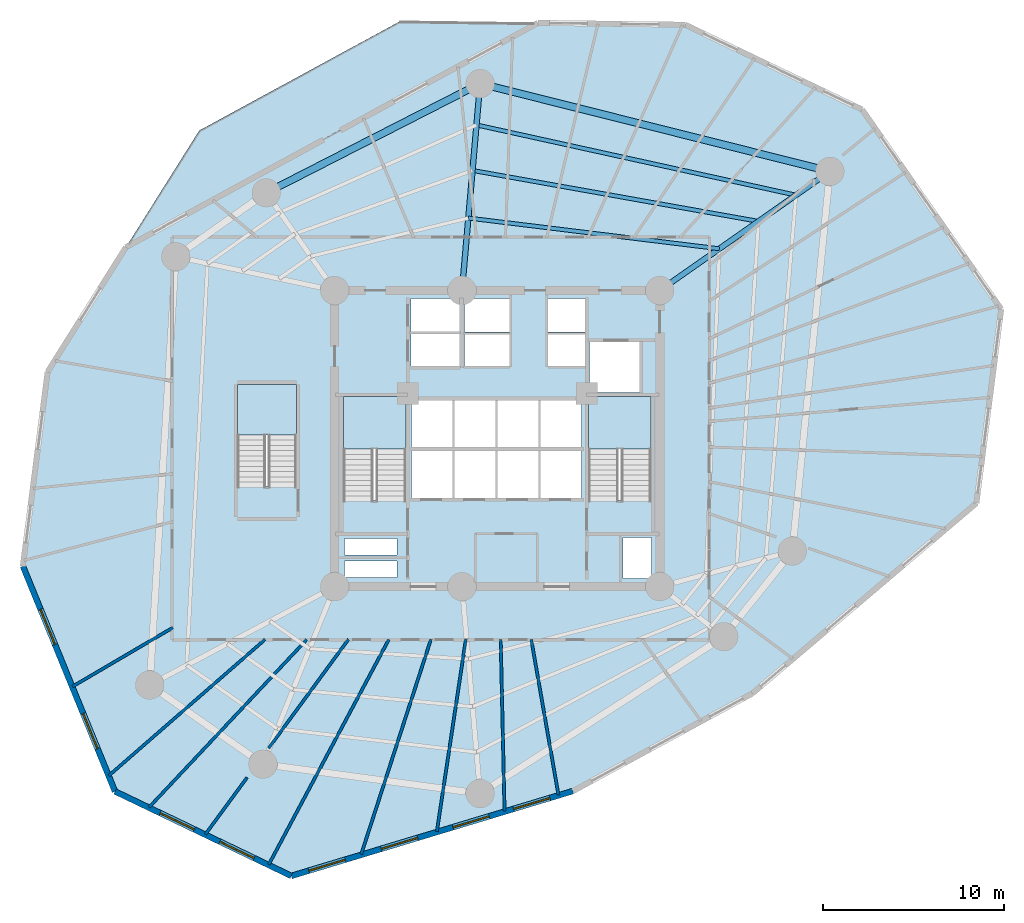
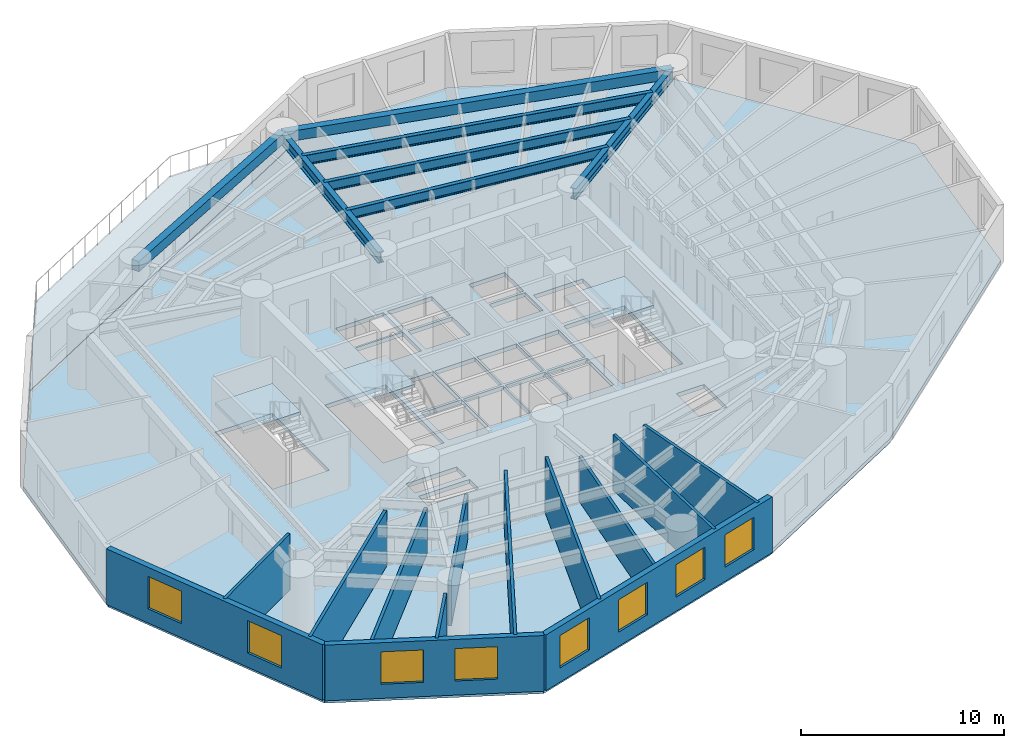
# One storey, part 2 of 9: 13 walls, 8 windows, 7 beams, 5 slabs, 8 openings, 3 elements without a shape of their own.
"""IFC4 building model written with IfcOpenShell, lengths in metres."""

from ifc_helpers import new_model, si_unit, direction, frame, frame_2d, origin, origin_with_axes, origin_2d, place, context, subcontext, project, spatial, polyline, rectangle, i_section, outline, extrude, source, transform, mapped, material, layer, layer_set, material_profile, profile_set, type_object, element, fill, aggregate, save


model = new_model("IFC4")

# Units and contexts
model_context = context("Model", 3, precision=1e-05, world=origin(), true_north=direction((0.0, 1.0)))
body_context = subcontext(model_context, "Body", "Model", "MODEL_VIEW")
ifc_project = project(units=[si_unit("LENGTHUNIT", "METRE"), si_unit("AREAUNIT", "SQUARE_METRE"), si_unit("VOLUMEUNIT", "CUBIC_METRE"), si_unit("PLANEANGLEUNIT", "RADIAN"), si_unit("MASSUNIT", "GRAM", prefix="KILO")], contexts=[model_context])

# Site, building, storey
site_placement = place(None, origin())
site = spatial("IfcSite", under=ifc_project, at=site_placement, CompositionType="ELEMENT")
building_placement = place(site_placement, origin())
building = spatial("IfcBuilding", under=site, at=building_placement, Name="Karkom Vertical University and Central Library", CompositionType="ELEMENT")
storey_placement = place(building_placement, frame((0.0, 0.0, 26.5)))
storey = spatial("IfcBuildingStorey", under=building, at=storey_placement, Name="L06", CompositionType="ELEMENT", Elevation=26.5)

# Beams
ifc_material_1 = material(Name="Steel S355", Category="steel")
ifc_material_profile_1 = material_profile(ifc_material_1, i_section(OverallWidth=0.300048828125, OverallDepth=0.64990234375, WebThickness=0.01611328125, FlangeThickness=0.031005859375, FilletRadius=0.027099609375, at=origin_2d()), Name="HE 650 B")
ifc_profile_set_1 = profile_set([ifc_material_profile_1], Name="Steel S355")
beam_type_1 = type_object("IfcBeamType", Name="STR-BM-SB-HE650", PredefinedType="USERDEFINED", material=ifc_profile_set_1)
shared_shape_1 = source(origin_with_axes(), body_context, "Body", "SweptSolid", [
    extrude(i_section(OverallWidth=0.300048828125, OverallDepth=0.64990234375, WebThickness=0.01611328125, FlangeThickness=0.031005859375, FilletRadius=0.027099609375, at=origin_2d()), origin(), (0.0, 0.0, 1.0), 11.49951171875),
])
beam_1_placement = place(storey_placement, frame((37.5, 34.699951171875, 3.02490234375), z_axis=(0.81915012564, 0.573579176457, 0.0), x_axis=(-0.573579176457, 0.81915012564, 0.0)))
element("IfcBeam", 1, at=beam_1_placement, inside=storey, type_object=beam_type_1, Name="Level 06 Radial Frame Girder 02", ObjectType="GIRDER", PredefinedType="USERDEFINED", context=body_context, shape_type="MappedRepresentation", body=[
    mapped(shared_shape_1, transform((0.0, 0.0, 0.0), scale=1.0)),
])
shared_shape_2 = source(origin_with_axes(), body_context, "Body", "SweptSolid", [
    extrude(i_section(OverallWidth=0.300048828125, OverallDepth=0.64990234375, WebThickness=0.01611328125, FlangeThickness=0.031005859375, FilletRadius=0.027099609375, at=origin_2d()), origin(), (0.0, 0.0, 1.0), 11.499755859375),
])
beam_2_placement = place(storey_placement, frame((26.550048828125, 34.699951171875, 3.02490234375), z_axis=(0.087127973109, 0.99619712723, 0.0), x_axis=(-0.99619712723, 0.087127973109, 0.0)))
element("IfcBeam", 2, at=beam_2_placement, inside=storey, type_object=beam_type_1, Name="Level 06 Radial Frame Girder 03", ObjectType="GIRDER", PredefinedType="USERDEFINED", context=body_context, shape_type="MappedRepresentation", body=[
    mapped(shared_shape_2, transform((0.0, 0.0, 0.0), scale=1.0)),
])
ifc_material_2 = material(Name="Precast concrete C45/55", Category="concrete")
ifc_material_profile_2 = material_profile(ifc_material_2, rectangle(XDim=0.39990234375, YDim=0.60009765625, at=origin_2d()), Name="SPB-400x600")
ifc_profile_set_2 = profile_set([ifc_material_profile_2], Name="Precast concrete C45/55")
beam_type_2 = type_object("IfcBeamType", Name="STR-BM-SP-1", PredefinedType="SPANDREL", material=ifc_profile_set_2)
shared_shape_3 = source(origin_with_axes(), body_context, "Body", "SweptSolid", [
    extrude(rectangle(XDim=0.39990234375, YDim=0.60009765625, at=origin_2d()), origin(), (0.0, 0.0, 1.0), 19.968505859375),
])
beam_3_placement = place(storey_placement, frame((46.919921875, 41.2958984375, 3.050048828125), z_axis=(-0.969928522391, 0.243389937039, 0.0), x_axis=(-0.243389937039, -0.969928522391, 0.0)))
element("IfcBeam", 3, at=beam_3_placement, inside=storey, type_object=beam_type_2, Name="Level 06 Perimeter Spandrel Beam 02", PredefinedType="SPANDREL", context=body_context, shape_type="MappedRepresentation", body=[
    mapped(shared_shape_3, transform((0.0, 0.0, 0.0), scale=1.0)),
])
shared_shape_4 = source(origin_with_axes(), body_context, "Body", "SweptSolid", [
    extrude(rectangle(XDim=0.39990234375, YDim=0.60009765625, at=origin_2d()), origin(), (0.0, 0.0, 1.0), 13.29443359375),
])
beam_4_placement = place(storey_placement, frame((27.552001953125, 46.156005859375, 3.050048828125), z_axis=(-0.890447746793, -0.455085497716, 0.0), x_axis=(0.455085497716, -0.890447746793, 0.0)))
element("IfcBeam", 4, at=beam_4_placement, inside=storey, type_object=beam_type_2, Name="Level 06 Perimeter Spandrel Beam 03", PredefinedType="SPANDREL", context=body_context, shape_type="MappedRepresentation", body=[
    mapped(shared_shape_4, transform((0.0, 0.0, 0.0), scale=1.0)),
])
ifc_material_profile_3 = material_profile(ifc_material_1, i_section(OverallWidth=0.219970703125, OverallDepth=0.60009765625, WebThickness=0.011962890625, FlangeThickness=0.01904296875, FilletRadius=0.02392578125, at=origin_2d()), Name="IPE 600")
ifc_profile_set_3 = profile_set([ifc_material_profile_3], Name="Steel S355")
beam_type_3 = type_object("IfcBeamType", Name="STR-BM-SB-IPE600", PredefinedType="BEAM", material=ifc_profile_set_3)
shared_shape_5 = source(origin_with_axes(), body_context, "Body", "SweptSolid", [
    extrude(i_section(OverallWidth=0.219970703125, OverallDepth=0.60009765625, WebThickness=0.011962890625, FlangeThickness=0.01904296875, FilletRadius=0.02392578125, at=origin_2d()), origin(), (0.0, 0.0, 1.0), 14.000244140625),
])
beam_5_placement = place(storey_placement, frame((40.797119140625, 37.008544921875, 3.050048828125), z_axis=(-0.992590166403, 0.121510335198, 0.0), x_axis=(-0.121510335198, -0.992590166403, 0.0)))
element("IfcBeam", 5, at=beam_5_placement, inside=storey, type_object=beam_type_3, Name="Level 06 Secondary Composite Floor Beam 1.02", PredefinedType="BEAM", context=body_context, shape_type="MappedRepresentation", body=[
    mapped(shared_shape_5, transform((0.0, 0.0, 0.0), scale=1.0)),
])
shared_shape_6 = source(origin_with_axes(), body_context, "Body", "SweptSolid", [
    extrude(i_section(OverallWidth=0.219970703125, OverallDepth=0.60009765625, WebThickness=0.011962890625, FlangeThickness=0.01904296875, FilletRadius=0.02392578125, at=origin_2d()), origin(), (0.0, 0.0, 1.0), 16.08154296875),
])
beam_6_placement = place(storey_placement, frame((42.963623046875, 38.525634765625, 3.050048828125), z_axis=(-0.984517708807, 0.175285142111, 0.0), x_axis=(-0.175285142111, -0.984517708807, 0.0)))
element("IfcBeam", 6, at=beam_6_placement, inside=storey, type_object=beam_type_3, Name="Level 06 Secondary Composite Floor Beam 2.02", PredefinedType="BEAM", context=body_context, shape_type="MappedRepresentation", body=[
    mapped(shared_shape_6, transform((0.0, 0.0, 0.0), scale=1.0)),
])
shared_shape_7 = source(origin_with_axes(), body_context, "Body", "SweptSolid", [
    extrude(i_section(OverallWidth=0.219970703125, OverallDepth=0.60009765625, WebThickness=0.011962890625, FlangeThickness=0.01904296875, FilletRadius=0.02392578125, at=origin_2d()), origin(), (0.0, 0.0, 1.0), 18.106689453125),
])
beam_7_placement = place(storey_placement, frame((45.035888671875, 39.976806640625, 3.050048828125), z_axis=(-0.976674731786, 0.214724167926, 0.0), x_axis=(-0.214724167926, -0.976674731786, 0.0)))
element("IfcBeam", 7, at=beam_7_placement, inside=storey, type_object=beam_type_3, Name="Level 06 Secondary Composite Floor Beam 3.02", PredefinedType="BEAM", context=body_context, shape_type="MappedRepresentation", body=[
    mapped(shared_shape_7, transform((0.0, 0.0, 0.0), scale=1.0)),
])

# Stair, slab
ifc_material_3 = material(Name="Concrete C45/55", Category="concrete")
stair_type_1 = type_object("IfcStairType", Name="INT-STR-ST-MAIN", PredefinedType="HALF_TURN_STAIR", material=ifc_material_3)
stair_1_placement = place(storey_placement, origin())
stair_1 = element("IfcStair", 8, at=stair_1_placement, inside=storey, type_object=stair_type_1, Name="Level 06 Tower Protected Exit Stair ST-1", PredefinedType="HALF_TURN_STAIR")
ifc_layer_1 = layer(ifc_material_3, 0.199951171875)
ifc_layer_set_1 = layer_set([ifc_layer_1], Name="Concrete C45/55")
slab_type_1 = type_object("IfcSlabType", Name="INT-SLB-LANDING", PredefinedType="LANDING", material=ifc_layer_set_1)
slab_1_placement = place(storey_placement, frame((0.0, 0.0, 1.60009765625)))
slab_1 = element("IfcSlab", 9, at=slab_1_placement, type_object=slab_type_1, Name="ST-1 landing 1", PredefinedType="LANDING", context=body_context, shape_type="SweptSolid", body=[
    extrude(outline(polyline([(23.43994140625, 25.919921875), (23.43994140625, 28.820068359375), (19.97998046875, 28.820068359375), (19.97998046875, 25.919921875), (23.43994140625, 25.919921875)])), origin(), (0.0, 0.0, 1.0), 0.199951171875),
])
aggregate(stair_1, [slab_1])

stair_2_placement = place(storey_placement, origin())
stair_2 = element("IfcStair", 10, at=stair_2_placement, inside=storey, type_object=stair_type_1, Name="Level 06 Tower Protected Exit Stair ST-2", PredefinedType="HALF_TURN_STAIR")
slab_2_placement = place(storey_placement, frame((0.0, 0.0, 1.60009765625)))
slab_2 = element("IfcSlab", 11, at=slab_2_placement, type_object=slab_type_1, Name="ST-2 landing 1", PredefinedType="LANDING", context=body_context, shape_type="SweptSolid", body=[
    extrude(outline(polyline([(37.02001953125, 25.919921875), (37.02001953125, 28.820068359375), (33.56005859375, 28.820068359375), (33.56005859375, 25.919921875), (37.02001953125, 25.919921875)])), origin(), (0.0, 0.0, 1.0), 0.199951171875),
])
aggregate(stair_2, [slab_2])

stair_type_2 = type_object("IfcStairType", Name="INT-STR-ST-SEC", PredefinedType="HALF_TURN_STAIR", material=ifc_material_3)
stair_3_placement = place(storey_placement, origin())
stair_3 = element("IfcStair", 12, at=stair_3_placement, inside=storey, type_object=stair_type_2, Name="Level 06 Academic Zone Protected Exit Stair ST-3", PredefinedType="HALF_TURN_STAIR")
slab_3_placement = place(storey_placement, frame((0.0, 0.0, 1.60009765625)))
slab_3 = element("IfcSlab", 13, at=slab_3_placement, type_object=slab_type_1, Name="ST-3 landing 1", PredefinedType="LANDING", context=body_context, shape_type="SweptSolid", body=[
    extrude(outline(polyline([(17.3798828125, 26.699951171875), (17.3798828125, 29.5), (14.1201171875, 29.5), (14.1201171875, 26.699951171875), (17.3798828125, 26.699951171875)])), origin(), (0.0, 0.0, 1.0), 0.199951171875),
])
aggregate(stair_3, [slab_3])

# Slabs
ifc_layer_2 = layer(ifc_material_3, 0.25)
ifc_layer_set_2 = layer_set([ifc_layer_2], Name="Concrete C45/55")
slab_type_2 = type_object("IfcSlabType", Name="STR-SLB-FLR-250", PredefinedType="FLOOR", material=ifc_layer_set_2)
slab_4_placement = place(storey_placement, frame((0.0, 0.0, -0.25)))
element("IfcSlab", 14, at=slab_4_placement, inside=storey, type_object=slab_type_2, Name="Level 06 Tower Structural Floor Slab", PredefinedType="FLOOR", context=body_context, shape_type="SweptSolid", body=[
    extrude(outline(polyline([(7.9443359375, 37.095947265625), (3.6083984375, 30.194091796875), (2.235595703125, 19.4287109375), (7.333984375, 6.960693359375), (17.099365234375, 2.279296875), (32.6826171875, 6.97802734375), (42.6240234375, 12.389404296875), (55.030029296875, 22.92529296875), (56.39990234375, 33.667724609375), (48.697021484375, 44.71826171875), (38.91064453125, 49.40966796875), (30.7607421875, 49.51513671875), (7.9443359375, 37.095947265625)]), holes=[polyline([(19.97998046875, 23.0849609375), (23.43994140625, 23.0849609375), (23.43994140625, 28.820068359375), (19.97998046875, 28.820068359375), (19.97998046875, 23.0849609375)]), polyline([(33.56005859375, 23.0849609375), (37.02001953125, 23.0849609375), (37.02001953125, 28.820068359375), (33.56005859375, 28.820068359375), (33.56005859375, 23.0849609375)]), polyline([(14.1201171875, 23.864990234375), (17.3798828125, 23.864990234375), (17.3798828125, 29.5), (14.1201171875, 29.5), (14.1201171875, 23.864990234375)]), polyline([(23.75, 23.199951171875), (26.030029296875, 23.199951171875), (26.030029296875, 25.85009765625), (23.75, 25.85009765625), (23.75, 23.199951171875)]), polyline([(26.1298828125, 23.199951171875), (28.409912109375, 23.199951171875), (28.409912109375, 25.85009765625), (26.1298828125, 25.85009765625), (26.1298828125, 23.199951171875)]), polyline([(28.510009765625, 23.199951171875), (30.7900390625, 23.199951171875), (30.7900390625, 25.85009765625), (28.510009765625, 25.85009765625), (28.510009765625, 23.199951171875)]), polyline([(30.889892578125, 23.199951171875), (33.169921875, 23.199951171875), (33.169921875, 25.85009765625), (30.889892578125, 25.85009765625), (30.889892578125, 23.199951171875)]), polyline([(23.75, 26.0), (26.030029296875, 26.0), (26.030029296875, 28.64990234375), (23.75, 28.64990234375), (23.75, 26.0)]), polyline([(26.1298828125, 26.0), (28.409912109375, 26.0), (28.409912109375, 28.64990234375), (26.1298828125, 28.64990234375), (26.1298828125, 26.0)]), polyline([(28.510009765625, 26.0), (30.7900390625, 26.0), (30.7900390625, 28.64990234375), (28.510009765625, 28.64990234375), (28.510009765625, 26.0)]), polyline([(30.889892578125, 26.0), (33.169921875, 26.0), (33.169921875, 28.64990234375), (30.889892578125, 28.64990234375), (30.889892578125, 26.0)]), polyline([(26.679931640625, 30.5), (29.199951171875, 30.5), (29.199951171875, 32.25), (26.679931640625, 32.25), (26.679931640625, 30.5)]), polyline([(26.679931640625, 32.39990234375), (29.199951171875, 32.39990234375), (29.199951171875, 34.25), (26.679931640625, 34.25), (26.679931640625, 32.39990234375)]), polyline([(31.300048828125, 30.5), (33.35009765625, 30.5), (33.35009765625, 32.25), (31.300048828125, 32.25), (31.300048828125, 30.5)]), polyline([(31.300048828125, 32.39990234375), (33.35009765625, 32.39990234375), (33.35009765625, 34.25), (31.300048828125, 34.25), (31.300048828125, 32.39990234375)]), polyline([(23.719970703125, 30.47998046875), (26.429931640625, 30.47998046875), (26.429931640625, 32.320068359375), (23.719970703125, 32.320068359375), (23.719970703125, 30.47998046875)]), polyline([(23.719970703125, 32.419921875), (26.429931640625, 32.419921875), (26.429931640625, 34.260009765625), (23.719970703125, 34.260009765625), (23.719970703125, 32.419921875)]), polyline([(33.60009765625, 29.050048828125), (36.39990234375, 29.050048828125), (36.39990234375, 31.85009765625), (33.60009765625, 31.85009765625), (33.60009765625, 29.050048828125)]), polyline([(20.050048828125, 18.820068359375), (22.949951171875, 18.820068359375), (22.949951171875, 19.719970703125), (20.050048828125, 19.719970703125), (20.050048828125, 18.820068359375)]), polyline([(20.050048828125, 20.06005859375), (22.949951171875, 20.06005859375), (22.949951171875, 20.9599609375), (20.050048828125, 20.9599609375), (20.050048828125, 20.06005859375)]), polyline([(35.4599609375, 18.760009765625), (37.0400390625, 18.760009765625), (37.0400390625, 21.010009765625), (35.4599609375, 21.010009765625), (35.4599609375, 18.760009765625)])]), origin(), (0.0, 0.0, 1.0), 0.25),
])
ifc_layer_3 = layer(ifc_material_3, 0.199951171875)
ifc_layer_set_3 = layer_set([ifc_layer_3], Name="Concrete C45/55")
slab_type_3 = type_object("IfcSlabType", Name="STR-SLB-PLN-260", PredefinedType="USERDEFINED", material=ifc_layer_set_3)
slab_5_placement = place(storey_placement, frame((0.0, 0.0, -0.25)))
element("IfcSlab", 15, at=slab_5_placement, inside=storey, type_object=slab_type_3, Name="Level 06 Spiral Sky Garden Planter Terrace", ObjectType="PLANTER", PredefinedType="USERDEFINED", context=body_context, shape_type="SweptSolid", body=[
    extrude(outline(polyline([(12.000732421875, 43.552978515625), (23.135986328125, 49.614013671875), (30.719970703125, 49.515625), (7.966064453125, 37.130615234375), (12.000732421875, 43.552978515625)])), origin(), (0.0, 0.0, 1.0), 0.25),
])

# Wall, openings, windows
ifc_material_4 = material(Name="Brick-faced precast concrete C45/55", Category="masonry")
ifc_layer_4 = layer(ifc_material_4, 0.320068359375)
ifc_layer_set_4 = layer_set([ifc_layer_4], Name="Brick-faced precast concrete C45/55")
wall_type_1 = type_object("IfcWallType", Name="ENV-WL-BRK-320", PredefinedType="SOLIDWALL", material=ifc_layer_set_4)
wall_1_placement = place(storey_placement, frame((2.235595703125, 19.4287109375, 0.0), z_axis=(0.0, 0.0, 1.0), x_axis=(0.378495223181, -0.925603244392, 0.0)))
wall_1 = element("IfcWall", 16, at=wall_1_placement, inside=storey, type_object=wall_type_1, Name="Level 06 Brick-Faced Precast Facade Wall 03", PredefinedType="SOLIDWALL", context=body_context, shape_type="SweptSolid", body=[
    extrude(rectangle(XDim=13.47021484375, YDim=0.320068359375, at=frame_2d((6.735107421875, 0.0))), origin(), (0.0, 0.0, 1.0), 3.35009765625),
])
opening_1_placement = place(wall_1_placement, frame((2.578857421875, 0.0, 0.85009765625)))
opening_1 = element("IfcOpeningElement", 17, at=opening_1_placement, cuts=wall_1, Name="Opening WN-03", PredefinedType="OPENING", context=body_context, shape_type="SweptSolid", body=[
    extrude(rectangle(XDim=2.10009765625, YDim=1.949951171875, at=frame_2d((1.050048828125, 0.97509765625))), frame((0.0, 0.169921875, 0.0), z_axis=(0.0, -1.0, 0.0), x_axis=(1.0, 0.0, 0.0)), (0.0, 0.0, 1.0), 0.340087890625),
])
opening_2_placement = place(wall_1_placement, frame((8.80712890625, 0.0, 0.85009765625)))
opening_2 = element("IfcOpeningElement", 18, at=opening_2_placement, cuts=wall_1, Name="Opening WN-03", PredefinedType="OPENING", context=body_context, shape_type="SweptSolid", body=[
    extrude(rectangle(XDim=2.10009765625, YDim=1.949951171875, at=frame_2d((1.050048828125, 0.97509765625))), frame((0.0, 0.169921875, 0.0), z_axis=(0.0, -1.0, 0.0), x_axis=(1.0, 0.0, 0.0)), (0.0, 0.0, 1.0), 0.340087890625),
])
ifc_material_5 = material(Name="Aluminium thermal-break frame with solar-control IGU", Category="aluminium")
window_type = type_object("IfcWindowType", Name="ENV-WIN-WN-03", PartitioningType="SINGLE_PANEL", PredefinedType="WINDOW", material=ifc_material_5)
shared_shape_8 = source(origin_with_axes(), body_context, "Body", "SweptSolid", [
    extrude(rectangle(XDim=2.10009765625, YDim=1.949951171875, at=frame_2d((1.050048828125, 0.97509765625))), frame((0.0, 0.030029296875, 0.0), z_axis=(0.0, -1.0, 0.0), x_axis=(1.0, 0.0, 0.0)), (0.0, 0.0, 1.0), 0.06005859375),
])
window_1_placement = place(opening_1_placement, origin())
window_1 = element("IfcWindow", 19, at=window_1_placement, inside=storey, type_object=window_type, Name="Level 06 Punched Window 3.1", OverallHeight=1.949951171875, OverallWidth=2.10009765625, PartitioningType="SINGLE_PANEL", PredefinedType="WINDOW", context=body_context, shape_type="MappedRepresentation", body=[
    mapped(shared_shape_8, transform((0.0, 0.0, 0.0), scale=1.0)),
])
fill(opening_1, window_1)
window_2_placement = place(opening_2_placement, origin())
window_2 = element("IfcWindow", 20, at=window_2_placement, inside=storey, type_object=window_type, Name="Level 06 Punched Window 3.2", OverallHeight=1.949951171875, OverallWidth=2.10009765625, PartitioningType="SINGLE_PANEL", PredefinedType="WINDOW", context=body_context, shape_type="MappedRepresentation", body=[
    mapped(shared_shape_8, transform((0.0, 0.0, 0.0), scale=1.0)),
])
fill(opening_2, window_2)

wall_2_placement = place(storey_placement, frame((7.333984375, 6.960693359375, 0.0), z_axis=(0.0, 0.0, 1.0), x_axis=(0.901738594253, -0.432281745664, 0.0)))
wall_2 = element("IfcWall", 21, at=wall_2_placement, inside=storey, type_object=wall_type_1, Name="Level 06 Brick-Faced Precast Facade Wall 04", PredefinedType="SOLIDWALL", context=body_context, shape_type="SweptSolid", body=[
    extrude(rectangle(XDim=10.82958984375, YDim=0.320068359375, at=frame_2d((5.414794921875, 0.0))), origin(), (0.0, 0.0, 1.0), 3.35009765625),
])
opening_3_placement = place(wall_2_placement, frame((2.771240234375, 0.0, 0.85009765625)))
opening_3 = element("IfcOpeningElement", 22, at=opening_3_placement, cuts=wall_2, Name="Opening WN-03", PredefinedType="OPENING", context=body_context, shape_type="SweptSolid", body=[
    extrude(rectangle(XDim=2.10009765625, YDim=1.949951171875, at=frame_2d((1.050048828125, 0.97509765625))), frame((0.0, 0.169921875, 0.0), z_axis=(0.0, -1.0, 0.0), x_axis=(1.0, 0.0, 0.0)), (0.0, 0.0, 1.0), 0.340087890625),
])
opening_4_placement = place(wall_2_placement, frame((6.438720703125, 0.0, 0.85009765625)))
opening_4 = element("IfcOpeningElement", 23, at=opening_4_placement, cuts=wall_2, Name="Opening WN-03", PredefinedType="OPENING", context=body_context, shape_type="SweptSolid", body=[
    extrude(rectangle(XDim=2.10009765625, YDim=1.949951171875, at=frame_2d((1.050048828125, 0.97509765625))), frame((0.0, 0.169921875, 0.0), z_axis=(0.0, -1.0, 0.0), x_axis=(1.0, 0.0, 0.0)), (0.0, 0.0, 1.0), 0.340087890625),
])
window_3_placement = place(opening_3_placement, origin())
window_3 = element("IfcWindow", 24, at=window_3_placement, inside=storey, type_object=window_type, Name="Level 06 Punched Window 4.1", OverallHeight=1.949951171875, OverallWidth=2.10009765625, PartitioningType="SINGLE_PANEL", PredefinedType="WINDOW", context=body_context, shape_type="MappedRepresentation", body=[
    mapped(shared_shape_8, transform((0.0, 0.0, 0.0), scale=1.0)),
])
fill(opening_3, window_3)
window_4_placement = place(opening_4_placement, origin())
window_4 = element("IfcWindow", 25, at=window_4_placement, inside=storey, type_object=window_type, Name="Level 06 Punched Window 4.2", OverallHeight=1.949951171875, OverallWidth=2.10009765625, PartitioningType="SINGLE_PANEL", PredefinedType="WINDOW", context=body_context, shape_type="MappedRepresentation", body=[
    mapped(shared_shape_8, transform((0.0, 0.0, 0.0), scale=1.0)),
])
fill(opening_4, window_4)

wall_3_placement = place(storey_placement, frame((17.099365234375, 2.279296875, 0.0), z_axis=(0.0, 0.0, 1.0), x_axis=(0.957423656835, 0.288686579759, 0.0)))
wall_3 = element("IfcWall", 26, at=wall_3_placement, inside=storey, type_object=wall_type_1, Name="Level 06 Brick-Faced Precast Facade Wall 05", PredefinedType="SOLIDWALL", context=body_context, shape_type="SweptSolid", body=[
    extrude(rectangle(XDim=16.276123046875, YDim=0.320068359375, at=frame_2d((8.13818359375, 0.0))), origin(), (0.0, 0.0, 1.0), 3.35009765625),
])
opening_5_placement = place(wall_3_placement, frame((1.01708984375, 0.0, 0.85009765625)))
opening_5 = element("IfcOpeningElement", 27, at=opening_5_placement, cuts=wall_3, Name="Opening WN-03", PredefinedType="OPENING", context=body_context, shape_type="SweptSolid", body=[
    extrude(rectangle(XDim=2.10009765625, YDim=1.949951171875, at=frame_2d((1.050048828125, 0.97509765625))), frame((0.0, 0.169921875, 0.0), z_axis=(0.0, -1.0, 0.0), x_axis=(1.0, 0.0, 0.0)), (0.0, 0.0, 1.0), 0.340087890625),
])
opening_6_placement = place(wall_3_placement, frame((5.207763671875, 0.0, 0.85009765625)))
opening_6 = element("IfcOpeningElement", 28, at=opening_6_placement, cuts=wall_3, Name="Opening WN-03", PredefinedType="OPENING", context=body_context, shape_type="SweptSolid", body=[
    extrude(rectangle(XDim=2.10009765625, YDim=1.949951171875, at=frame_2d((1.050048828125, 0.97509765625))), frame((0.0, 0.169921875, 0.0), z_axis=(0.0, -1.0, 0.0), x_axis=(1.0, 0.0, 0.0)), (0.0, 0.0, 1.0), 0.340087890625),
])
opening_7_placement = place(wall_3_placement, frame((9.345458984375, 0.0, 0.85009765625)))
opening_7 = element("IfcOpeningElement", 29, at=opening_7_placement, cuts=wall_3, Name="Opening WN-03", PredefinedType="OPENING", context=body_context, shape_type="SweptSolid", body=[
    extrude(rectangle(XDim=2.10009765625, YDim=1.949951171875, at=frame_2d((1.050048828125, 0.97509765625))), frame((0.0, 0.169921875, 0.0), z_axis=(0.0, -1.0, 0.0), x_axis=(1.0, 0.0, 0.0)), (0.0, 0.0, 1.0), 0.340087890625),
])
opening_8_placement = place(wall_3_placement, frame((12.855224609375, 0.0, 0.85009765625)))
opening_8 = element("IfcOpeningElement", 30, at=opening_8_placement, cuts=wall_3, Name="Opening WN-03", PredefinedType="OPENING", context=body_context, shape_type="SweptSolid", body=[
    extrude(rectangle(XDim=2.10009765625, YDim=1.949951171875, at=frame_2d((1.050048828125, 0.97509765625))), frame((0.0, 0.169921875, 0.0), z_axis=(0.0, -1.0, 0.0), x_axis=(1.0, 0.0, 0.0)), (0.0, 0.0, 1.0), 0.340087890625),
])
window_5_placement = place(opening_5_placement, origin())
window_5 = element("IfcWindow", 31, at=window_5_placement, inside=storey, type_object=window_type, Name="Level 06 Punched Window 5.1", OverallHeight=1.949951171875, OverallWidth=2.10009765625, PartitioningType="SINGLE_PANEL", PredefinedType="WINDOW", context=body_context, shape_type="MappedRepresentation", body=[
    mapped(shared_shape_8, transform((0.0, 0.0, 0.0), scale=1.0)),
])
fill(opening_5, window_5)
window_6_placement = place(opening_6_placement, origin())
window_6 = element("IfcWindow", 32, at=window_6_placement, inside=storey, type_object=window_type, Name="Level 06 Punched Window 5.2", OverallHeight=1.949951171875, OverallWidth=2.10009765625, PartitioningType="SINGLE_PANEL", PredefinedType="WINDOW", context=body_context, shape_type="MappedRepresentation", body=[
    mapped(shared_shape_8, transform((0.0, 0.0, 0.0), scale=1.0)),
])
fill(opening_6, window_6)
window_7_placement = place(opening_7_placement, origin())
window_7 = element("IfcWindow", 33, at=window_7_placement, inside=storey, type_object=window_type, Name="Level 06 Punched Window 5.3", OverallHeight=1.949951171875, OverallWidth=2.10009765625, PartitioningType="SINGLE_PANEL", PredefinedType="WINDOW", context=body_context, shape_type="MappedRepresentation", body=[
    mapped(shared_shape_8, transform((0.0, 0.0, 0.0), scale=1.0)),
])
fill(opening_7, window_7)
window_8_placement = place(opening_8_placement, origin())
window_8 = element("IfcWindow", 34, at=window_8_placement, inside=storey, type_object=window_type, Name="Level 06 Punched Window 5.4", OverallHeight=1.949951171875, OverallWidth=2.10009765625, PartitioningType="SINGLE_PANEL", PredefinedType="WINDOW", context=body_context, shape_type="MappedRepresentation", body=[
    mapped(shared_shape_8, transform((0.0, 0.0, 0.0), scale=1.0)),
])
fill(opening_8, window_8)

# Walls
ifc_material_6 = material(Name="Insulated metal-stud drywall 160mm", Category="gypsum")
ifc_layer_5 = layer(ifc_material_6, 0.159912109375)
ifc_layer_set_5 = layer_set([ifc_layer_5], Name="Insulated metal-stud drywall 160mm")
wall_type_2 = type_object("IfcWallType", Name="INT-WL-COR-160", PredefinedType="PARTITIONING", material=ifc_layer_set_5)
wall_4_placement = place(storey_placement, frame((22.498291015625, 15.37646484375, 0.0), z_axis=(0.0, 0.0, 1.0), x_axis=(-0.470669828434, -0.882309419989, 0.0)))
element("IfcWall", 35, at=wall_4_placement, inside=storey, type_object=wall_type_2, Name="Level 06 Interior Partition Wall Level 06-PW-008", PredefinedType="PARTITIONING", context=body_context, shape_type="SweptSolid", body=[
    extrude(rectangle(XDim=14.13232421875, YDim=0.159912109375, at=frame_2d((7.066162109375, 0.0))), origin(), (0.0, 0.0, 1.0), 3.35009765625),
])
wall_5_placement = place(storey_placement, frame((17.956298828125, 15.371826171875, 0.0), z_axis=(0.0, 0.0, 1.0), x_axis=(-0.684954139438, -0.728586183554, 0.0)))
element("IfcWall", 36, at=wall_5_placement, inside=storey, type_object=wall_type_2, Name="Level 06 Interior Partition Wall Level 06-PW-005", PredefinedType="PARTITIONING", context=body_context, shape_type="SweptSolid", body=[
    extrude(rectangle(XDim=12.746337890625, YDim=0.159912109375, at=frame_2d((6.373046875, 0.0))), origin(), (0.0, 0.0, 1.0), 2.699951171875),
])
wall_6_placement = place(storey_placement, frame((24.83349609375, 15.392822265625, 0.0), z_axis=(0.0, 0.0, 1.0), x_axis=(-0.308570986653, -0.951201317386, 0.0)))
element("IfcWall", 37, at=wall_6_placement, inside=storey, type_object=wall_type_2, Name="Level 06 Interior Partition Wall Level 06-PW-009", PredefinedType="PARTITIONING", context=body_context, shape_type="SweptSolid", body=[
    extrude(rectangle(XDim=12.51904296875, YDim=0.159912109375, at=frame_2d((6.259521484375, 0.0))), origin(), (0.0, 0.0, 1.0), 3.35009765625),
])
wall_7_placement = place(storey_placement, frame((15.64990234375, 15.379638671875, 0.0), z_axis=(0.0, 0.0, 1.0), x_axis=(-0.753853018897, -0.657043092879, 0.0)))
element("IfcWall", 38, at=wall_7_placement, inside=storey, type_object=wall_type_2, Name="Level 06 Interior Partition Wall Level 06-PW-004", PredefinedType="PARTITIONING", context=body_context, shape_type="SweptSolid", body=[
    extrude(rectangle(XDim=11.469482421875, YDim=0.159912109375, at=frame_2d((5.73486328125, 0.0))), origin(), (0.0, 0.0, 1.0), 3.35009765625),
])
wall_8_placement = place(storey_placement, frame((26.764404296875, 15.39453125, 0.0), z_axis=(0.0, 0.0, 1.0), x_axis=(-0.149113896904, -0.988820026977, 0.0)))
element("IfcWall", 39, at=wall_8_placement, inside=storey, type_object=wall_type_2, Name="Level 06 Interior Partition Wall Level 06-PW-010", PredefinedType="PARTITIONING", context=body_context, shape_type="SweptSolid", body=[
    extrude(rectangle(XDim=10.773193359375, YDim=0.159912109375, at=frame_2d((5.38671875, 0.0))), origin(), (0.0, 0.0, 1.0), 2.699951171875),
])
wall_9_placement = place(storey_placement, frame((28.691162109375, 15.3798828125, 0.0), z_axis=(0.0, 0.0, 1.0), x_axis=(0.022580930061, -0.999745018291, 0.0)))
element("IfcWall", 40, at=wall_9_placement, inside=storey, type_object=wall_type_2, Name="Level 06 Interior Partition Wall Level 06-PW-011", PredefinedType="PARTITIONING", context=body_context, shape_type="SweptSolid", body=[
    extrude(rectangle(XDim=9.514404296875, YDim=0.159912109375, at=frame_2d((4.75732421875, 0.0))), origin(), (0.0, 0.0, 1.0), 3.35009765625),
])
wall_10_placement = place(storey_placement, frame((30.38427734375, 15.379638671875, 0.0), z_axis=(0.0, 0.0, 1.0), x_axis=(0.172289580818, -0.985046344261, 0.0)))
element("IfcWall", 41, at=wall_10_placement, inside=storey, type_object=wall_type_2, Name="Level 06 Interior Partition Wall Level 06-PW-012", PredefinedType="PARTITIONING", context=body_context, shape_type="SweptSolid", body=[
    extrude(rectangle(XDim=8.74462890625, YDim=0.159912109375, at=frame_2d((4.372314453125, 0.0))), origin(), (0.0, 0.0, 1.0), 3.35009765625),
])
wall_11_placement = place(storey_placement, frame((20.267822265625, 15.38623046875, 0.0), z_axis=(0.0, 0.0, 1.0), x_axis=(-0.591743955509, -0.806125977201, 0.0)))
element("IfcWall", 42, at=wall_11_placement, inside=storey, type_object=wall_type_2, Name="Level 06 Interior Partition Wall Level 06-PW-006", PredefinedType="PARTITIONING", context=body_context, shape_type="SweptSolid", body=[
    extrude(rectangle(XDim=7.4853515625, YDim=0.159912109375, at=frame_2d((3.74267578125, 0.0))), origin(), (0.0, 0.0, 1.0), 2.699951171875),
])
wall_12_placement = place(storey_placement, frame((10.538818359375, 16.030517578125, 0.0), z_axis=(0.0, 0.0, 1.0), x_axis=(-0.862473711585, -0.50610186408, 0.0)))
element("IfcWall", 43, at=wall_12_placement, inside=storey, type_object=wall_type_2, Name="Level 06 Interior Partition Wall Level 06-PW-003", PredefinedType="PARTITIONING", context=body_context, shape_type="SweptSolid", body=[
    extrude(rectangle(XDim=6.43896484375, YDim=0.159912109375, at=frame_2d((3.219482421875, 0.0))), origin(), (0.0, 0.0, 1.0), 3.35009765625),
])
wall_13_placement = place(storey_placement, frame((14.64892578125, 7.7314453125, 0.0), z_axis=(0.0, 0.0, 1.0), x_axis=(-0.591711140864, -0.806150064056, 0.0)))
element("IfcWall", 44, at=wall_13_placement, inside=storey, type_object=wall_type_2, Name="Level 06 Interior Partition Wall Level 06-PW-007", PredefinedType="PARTITIONING", context=body_context, shape_type="SweptSolid", body=[
    extrude(rectangle(XDim=3.898193359375, YDim=0.159912109375, at=frame_2d((1.94921875, 0.0))), origin(), (0.0, 0.0, 1.0), 3.35009765625),
])

save(model, "model.ifc")
